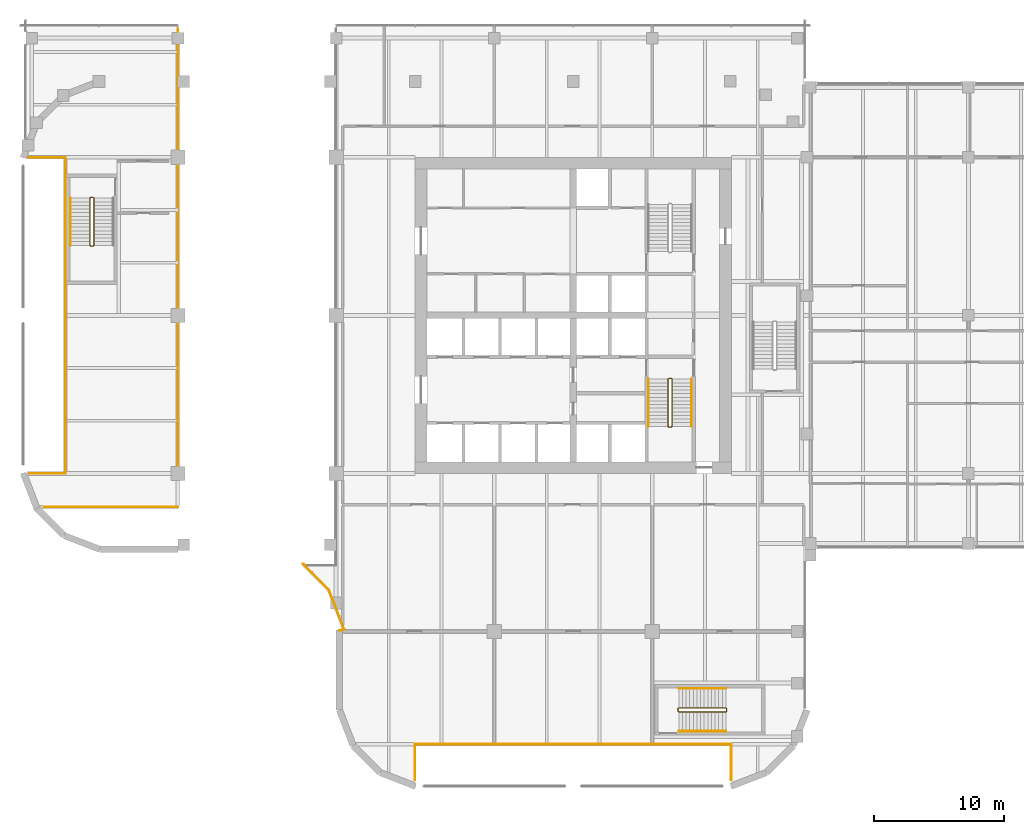
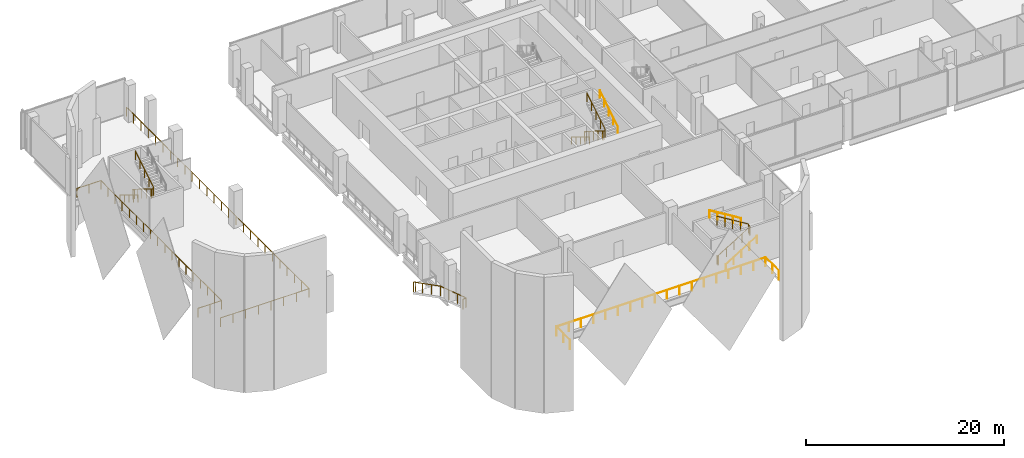
# One storey, part 32 of 33: 12 railings.
"""IFC4 building model written with IfcOpenShell, lengths in metres."""

from ifc_helpers import new_model, si_unit, direction, frame, origin, origin_2d, place, context, subcontext, project, spatial, circle, extrude, material, type_object, element, save


model = new_model("IFC4")

# Units and contexts
model_context = context("Model", 3, precision=1e-05, world=origin(), true_north=direction((0.0, 1.0)))
body_context = subcontext(model_context, "Body", "Model", "MODEL_VIEW")
ifc_project = project(units=[si_unit("LENGTHUNIT", "METRE"), si_unit("AREAUNIT", "SQUARE_METRE"), si_unit("VOLUMEUNIT", "CUBIC_METRE"), si_unit("PLANEANGLEUNIT", "RADIAN"), si_unit("MASSUNIT", "GRAM", prefix="KILO")], contexts=[model_context])

# Site, building, storey
site_placement = place(None, origin())
site = spatial("IfcSite", under=ifc_project, at=site_placement, CompositionType="ELEMENT")
building_placement = place(site_placement, origin())
building = spatial("IfcBuilding", under=site, at=building_placement, Name="Tessera Gate Towers", CompositionType="ELEMENT")
storey_placement = place(building_placement, frame((0.0, 0.0, 7.199951171875)))
storey = spatial("IfcBuildingStorey", under=building, at=storey_placement, Name="L01", CompositionType="ELEMENT", Elevation=7.199951171875)

# Railings
ifc_material_1 = material(Name="Stainless steel balustrade", Category="steel")
railing_type_1 = type_object("IfcRailingType", Name="GR1 guard rail", PredefinedType="GUARDRAIL", material=ifc_material_1)
railing_1_placement = place(storey_placement, frame((22.037841796875, 17.300048828125, 0.0)))
element("IfcRailing", 1, at=railing_1_placement, inside=storey, type_object=railing_type_1, Name="Guard T1 GR-0014", PredefinedType="GUARDRAIL", context=body_context, shape_type="SweptSolid", body=[
    extrude(circle(Radius=0.02490234375, at=origin_2d()), frame((0.0, 0.0, 1.1748046875), z_axis=(-0.857701914537, 0.514147280261, 0.0), x_axis=(-0.514147280261, -0.857701914537, 0.0)), (0.0, 0.0, 1.0), 0.2060546875),
    extrude(circle(Radius=0.02490234375, at=origin_2d()), frame((-0.1767578125, 0.10595703125, 1.1748046875), z_axis=(0.70628534404, -0.707927265187, 0.0), x_axis=(0.707927265187, 0.70628534404, 0.0)), (0.0, 0.0, 1.0), 2.8251953125),
    extrude(circle(Radius=0.02490234375, at=origin_2d()), frame((1.818603515625, -1.89404296875, 1.1748046875), z_axis=(0.360868803245, -0.932616591555, 0.0), x_axis=(0.932616591555, 0.360868803245, 0.0)), (0.0, 0.0, 1.0), 3.27978515625),
    extrude(circle(Radius=0.02490234375, at=origin_2d()), frame((3.002197265625, -4.952880859375, 1.1748046875), z_axis=(-0.97933582238, -0.202240814384, 0.0), x_axis=(0.202240814384, -0.97933582238, 0.0)), (0.0, 0.0, 1.0), 0.3984375),
    extrude(circle(Radius=0.02490234375, at=origin_2d()), origin(), (0.0, 0.0, 1.0), 1.14990234375),
    extrude(circle(Radius=0.02490234375, at=origin_2d()), frame((-0.1767578125, 0.10595703125, 0.0)), (0.0, 0.0, 1.0), 1.14990234375),
    extrude(circle(Radius=0.02490234375, at=origin_2d()), frame((0.48828125, -0.560791015625, 0.0)), (0.0, 0.0, 1.0), 1.14990234375),
    extrude(circle(Radius=0.02490234375, at=origin_2d()), frame((1.153564453125, -1.227294921875, 0.0)), (0.0, 0.0, 1.0), 1.14990234375),
    extrude(circle(Radius=0.02490234375, at=origin_2d()), frame((1.818603515625, -1.89404296875, 0.0)), (0.0, 0.0, 1.0), 1.14990234375),
    extrude(circle(Radius=0.02490234375, at=origin_2d()), frame((2.213134765625, -2.91357421875, 0.0)), (0.0, 0.0, 1.0), 1.14990234375),
    extrude(circle(Radius=0.02490234375, at=origin_2d()), frame((2.607666015625, -3.933349609375, 0.0)), (0.0, 0.0, 1.0), 1.14990234375),
    extrude(circle(Radius=0.02490234375, at=origin_2d()), frame((3.002197265625, -4.952880859375, 0.0)), (0.0, 0.0, 1.0), 1.14990234375),
    extrude(circle(Radius=0.02490234375, at=origin_2d()), frame((2.612060546875, -5.033447265625, 0.0)), (0.0, 0.0, 1.0), 1.14990234375),
])
ifc_material_2 = material(Name="Toughened glass with stainless steel handrail", Category="steel")
railing_type_2 = type_object("IfcRailingType", Name="GUARD 1100 GLASS BALUSTRADE", PredefinedType="GUARDRAIL", material=ifc_material_2)
railing_2_placement = place(storey_placement, frame((0.750244140625, 24.39990234375, 0.0)))
element("IfcRailing", 2, at=railing_2_placement, inside=storey, type_object=railing_type_2, Name="Guard", PredefinedType="GUARDRAIL", context=body_context, shape_type="SweptSolid", body=[
    extrude(circle(Radius=0.02490234375, at=origin_2d()), frame((0.0, 0.0, 1.0751953125), z_axis=(1.0, 0.0, 0.0), x_axis=(0.0, 1.0, 0.0)), (0.0, 0.0, 1.0), 2.749755859375),
    extrude(circle(Radius=0.02490234375, at=origin_2d()), frame((2.749755859375, 0.0, 1.0751953125), z_axis=(0.0, 1.0, 0.0), x_axis=(-1.0, 0.0, 0.0)), (0.0, 0.0, 1.0), 24.400146484375),
    extrude(circle(Radius=0.02490234375, at=origin_2d()), frame((2.749755859375, 24.400146484375, 1.0751953125), z_axis=(-1.0, 0.0, 0.0), x_axis=(0.0, -1.0, 0.0)), (0.0, 0.0, 1.0), 2.800048828125),
    extrude(circle(Radius=0.02490234375, at=origin_2d()), origin(), (0.0, 0.0, 1.0), 1.050048828125),
    extrude(circle(Radius=0.02490234375, at=origin_2d()), frame((1.375, 0.0, 0.0)), (0.0, 0.0, 1.0), 1.050048828125),
    extrude(circle(Radius=0.02490234375, at=origin_2d()), frame((2.749755859375, 0.0, 0.0)), (0.0, 0.0, 1.0), 1.050048828125),
    extrude(circle(Radius=0.02490234375, at=origin_2d()), frame((2.749755859375, 1.435302734375, 0.0)), (0.0, 0.0, 1.0), 1.050048828125),
    extrude(circle(Radius=0.02490234375, at=origin_2d()), frame((2.749755859375, 2.87060546875, 0.0)), (0.0, 0.0, 1.0), 1.050048828125),
    extrude(circle(Radius=0.02490234375, at=origin_2d()), frame((2.749755859375, 4.305908203125, 0.0)), (0.0, 0.0, 1.0), 1.050048828125),
    extrude(circle(Radius=0.02490234375, at=origin_2d()), frame((2.749755859375, 5.7412109375, 0.0)), (0.0, 0.0, 1.0), 1.050048828125),
    extrude(circle(Radius=0.02490234375, at=origin_2d()), frame((2.749755859375, 7.176513671875, 0.0)), (0.0, 0.0, 1.0), 1.050048828125),
    extrude(circle(Radius=0.02490234375, at=origin_2d()), frame((2.749755859375, 8.61181640625, 0.0)), (0.0, 0.0, 1.0), 1.050048828125),
    extrude(circle(Radius=0.02490234375, at=origin_2d()), frame((2.749755859375, 10.047119140625, 0.0)), (0.0, 0.0, 1.0), 1.050048828125),
    extrude(circle(Radius=0.02490234375, at=origin_2d()), frame((2.749755859375, 11.482421875, 0.0)), (0.0, 0.0, 1.0), 1.050048828125),
    extrude(circle(Radius=0.02490234375, at=origin_2d()), frame((2.749755859375, 12.917724609375, 0.0)), (0.0, 0.0, 1.0), 1.050048828125),
    extrude(circle(Radius=0.02490234375, at=origin_2d()), frame((2.749755859375, 14.35302734375, 0.0)), (0.0, 0.0, 1.0), 1.050048828125),
    extrude(circle(Radius=0.02490234375, at=origin_2d()), frame((2.749755859375, 15.788330078125, 0.0)), (0.0, 0.0, 1.0), 1.050048828125),
    extrude(circle(Radius=0.02490234375, at=origin_2d()), frame((2.749755859375, 17.2236328125, 0.0)), (0.0, 0.0, 1.0), 1.050048828125),
    extrude(circle(Radius=0.02490234375, at=origin_2d()), frame((2.749755859375, 18.658935546875, 0.0)), (0.0, 0.0, 1.0), 1.050048828125),
    extrude(circle(Radius=0.02490234375, at=origin_2d()), frame((2.749755859375, 20.09423828125, 0.0)), (0.0, 0.0, 1.0), 1.050048828125),
    extrude(circle(Radius=0.02490234375, at=origin_2d()), frame((2.749755859375, 21.529541015625, 0.0)), (0.0, 0.0, 1.0), 1.050048828125),
    extrude(circle(Radius=0.02490234375, at=origin_2d()), frame((2.749755859375, 22.96484375, 0.0)), (0.0, 0.0, 1.0), 1.050048828125),
    extrude(circle(Radius=0.02490234375, at=origin_2d()), frame((2.749755859375, 24.400146484375, 0.0)), (0.0, 0.0, 1.0), 1.050048828125),
    extrude(circle(Radius=0.02490234375, at=origin_2d()), frame((1.349609375, 24.400146484375, 0.0)), (0.0, 0.0, 1.0), 1.050048828125),
    extrude(circle(Radius=0.02490234375, at=origin_2d()), frame((-0.05029296875, 24.400146484375, 0.0)), (0.0, 0.0, 1.0), 1.050048828125),
])
railing_3_placement = place(storey_placement, frame((12.199951171875, 58.699951171875, 0.0)))
element("IfcRailing", 3, at=railing_3_placement, inside=storey, type_object=railing_type_2, Name="Guard", PredefinedType="GUARDRAIL", context=body_context, shape_type="SweptSolid", body=[
    extrude(circle(Radius=0.02490234375, at=origin_2d()), frame((0.0, 0.0, 1.0751953125), z_axis=(0.0, -1.0, 0.0), x_axis=(1.0, 0.0, 0.0)), (0.0, 0.0, 1.0), 36.89990234375),
    extrude(circle(Radius=0.02490234375, at=origin_2d()), frame((0.0, -36.89990234375, 1.0751953125), z_axis=(-1.0, 0.0, 0.0), x_axis=(0.0, -1.0, 0.0)), (0.0, 0.0, 1.0), 10.35791015625),
    extrude(circle(Radius=0.02490234375, at=origin_2d()), origin(), (0.0, 0.0, 1.0), 1.050048828125),
    extrude(circle(Radius=0.02490234375, at=origin_2d()), frame((0.0, -1.47607421875, 0.0)), (0.0, 0.0, 1.0), 1.050048828125),
    extrude(circle(Radius=0.02490234375, at=origin_2d()), frame((0.0, -2.951904296875, 0.0)), (0.0, 0.0, 1.0), 1.050048828125),
    extrude(circle(Radius=0.02490234375, at=origin_2d()), frame((0.0, -4.427978515625, 0.0)), (0.0, 0.0, 1.0), 1.050048828125),
    extrude(circle(Radius=0.02490234375, at=origin_2d()), frame((0.0, -5.904052734375, 0.0)), (0.0, 0.0, 1.0), 1.050048828125),
    extrude(circle(Radius=0.02490234375, at=origin_2d()), frame((0.0, -7.3798828125, 0.0)), (0.0, 0.0, 1.0), 1.050048828125),
    extrude(circle(Radius=0.02490234375, at=origin_2d()), frame((0.0, -8.85595703125, 0.0)), (0.0, 0.0, 1.0), 1.050048828125),
    extrude(circle(Radius=0.02490234375, at=origin_2d()), frame((0.0, -10.33203125, 0.0)), (0.0, 0.0, 1.0), 1.050048828125),
    extrude(circle(Radius=0.02490234375, at=origin_2d()), frame((0.0, -11.807861328125, 0.0)), (0.0, 0.0, 1.0), 1.050048828125),
    extrude(circle(Radius=0.02490234375, at=origin_2d()), frame((0.0, -13.283935546875, 0.0)), (0.0, 0.0, 1.0), 1.050048828125),
    extrude(circle(Radius=0.02490234375, at=origin_2d()), frame((0.0, -14.760009765625, 0.0)), (0.0, 0.0, 1.0), 1.050048828125),
    extrude(circle(Radius=0.02490234375, at=origin_2d()), frame((0.0, -16.23583984375, 0.0)), (0.0, 0.0, 1.0), 1.050048828125),
    extrude(circle(Radius=0.02490234375, at=origin_2d()), frame((0.0, -17.7119140625, 0.0)), (0.0, 0.0, 1.0), 1.050048828125),
    extrude(circle(Radius=0.02490234375, at=origin_2d()), frame((0.0, -19.18798828125, 0.0)), (0.0, 0.0, 1.0), 1.050048828125),
    extrude(circle(Radius=0.02490234375, at=origin_2d()), frame((0.0, -20.6640625, 0.0)), (0.0, 0.0, 1.0), 1.050048828125),
    extrude(circle(Radius=0.02490234375, at=origin_2d()), frame((0.0, -22.139892578125, 0.0)), (0.0, 0.0, 1.0), 1.050048828125),
    extrude(circle(Radius=0.02490234375, at=origin_2d()), frame((0.0, -23.615966796875, 0.0)), (0.0, 0.0, 1.0), 1.050048828125),
    extrude(circle(Radius=0.02490234375, at=origin_2d()), frame((0.0, -25.092041015625, 0.0)), (0.0, 0.0, 1.0), 1.050048828125),
    extrude(circle(Radius=0.02490234375, at=origin_2d()), frame((0.0, -26.56787109375, 0.0)), (0.0, 0.0, 1.0), 1.050048828125),
    extrude(circle(Radius=0.02490234375, at=origin_2d()), frame((0.0, -28.0439453125, 0.0)), (0.0, 0.0, 1.0), 1.050048828125),
    extrude(circle(Radius=0.02490234375, at=origin_2d()), frame((0.0, -29.52001953125, 0.0)), (0.0, 0.0, 1.0), 1.050048828125),
    extrude(circle(Radius=0.02490234375, at=origin_2d()), frame((0.0, -30.995849609375, 0.0)), (0.0, 0.0, 1.0), 1.050048828125),
    extrude(circle(Radius=0.02490234375, at=origin_2d()), frame((0.0, -32.471923828125, 0.0)), (0.0, 0.0, 1.0), 1.050048828125),
    extrude(circle(Radius=0.02490234375, at=origin_2d()), frame((0.0, -33.947998046875, 0.0)), (0.0, 0.0, 1.0), 1.050048828125),
    extrude(circle(Radius=0.02490234375, at=origin_2d()), frame((0.0, -35.423828125, 0.0)), (0.0, 0.0, 1.0), 1.050048828125),
    extrude(circle(Radius=0.02490234375, at=origin_2d()), frame((0.0, -36.89990234375, 0.0)), (0.0, 0.0, 1.0), 1.050048828125),
    extrude(circle(Radius=0.02490234375, at=origin_2d()), frame((-1.479736328125, -36.89990234375, 0.0)), (0.0, 0.0, 1.0), 1.050048828125),
    extrude(circle(Radius=0.02490234375, at=origin_2d()), frame((-2.95947265625, -36.89990234375, 0.0)), (0.0, 0.0, 1.0), 1.050048828125),
    extrude(circle(Radius=0.02490234375, at=origin_2d()), frame((-4.439208984375, -36.89990234375, 0.0)), (0.0, 0.0, 1.0), 1.050048828125),
    extrude(circle(Radius=0.02490234375, at=origin_2d()), frame((-5.918701171875, -36.89990234375, 0.0)), (0.0, 0.0, 1.0), 1.050048828125),
    extrude(circle(Radius=0.02490234375, at=origin_2d()), frame((-7.3984375, -36.89990234375, 0.0)), (0.0, 0.0, 1.0), 1.050048828125),
    extrude(circle(Radius=0.02490234375, at=origin_2d()), frame((-8.878173828125, -36.89990234375, 0.0)), (0.0, 0.0, 1.0), 1.050048828125),
    extrude(circle(Radius=0.02490234375, at=origin_2d()), frame((-10.35791015625, -36.89990234375, 0.0)), (0.0, 0.0, 1.0), 1.050048828125),
])
railing_4_placement = place(storey_placement, frame((54.89990234375, 0.750244140625, 0.0)))
element("IfcRailing", 4, at=railing_4_placement, inside=storey, type_object=railing_type_2, Name="Guard", PredefinedType="GUARDRAIL", context=body_context, shape_type="SweptSolid", body=[
    extrude(circle(Radius=0.02490234375, at=origin_2d()), frame((0.0, 0.0, 1.0751953125), z_axis=(0.0, 1.0, 0.0), x_axis=(-1.0, 0.0, 0.0)), (0.0, 0.0, 1.0), 2.749755859375),
    extrude(circle(Radius=0.02490234375, at=origin_2d()), frame((0.0, 2.749755859375, 1.0751953125), z_axis=(-1.0, 0.0, 0.0), x_axis=(0.0, -1.0, 0.0)), (0.0, 0.0, 1.0), 24.39990234375),
    extrude(circle(Radius=0.02490234375, at=origin_2d()), frame((-24.39990234375, 2.749755859375, 1.0751953125), z_axis=(0.0, -1.0, 0.0), x_axis=(1.0, 0.0, 0.0)), (0.0, 0.0, 1.0), 2.749755859375),
    extrude(circle(Radius=0.02490234375, at=origin_2d()), origin(), (0.0, 0.0, 1.0), 1.050048828125),
    extrude(circle(Radius=0.02490234375, at=origin_2d()), frame((0.0, 1.375, 0.0)), (0.0, 0.0, 1.0), 1.050048828125),
    extrude(circle(Radius=0.02490234375, at=origin_2d()), frame((0.0, 2.749755859375, 0.0)), (0.0, 0.0, 1.0), 1.050048828125),
    extrude(circle(Radius=0.02490234375, at=origin_2d()), frame((-1.435302734375, 2.749755859375, 0.0)), (0.0, 0.0, 1.0), 1.050048828125),
    extrude(circle(Radius=0.02490234375, at=origin_2d()), frame((-2.87060546875, 2.749755859375, 0.0)), (0.0, 0.0, 1.0), 1.050048828125),
    extrude(circle(Radius=0.02490234375, at=origin_2d()), frame((-4.305908203125, 2.749755859375, 0.0)), (0.0, 0.0, 1.0), 1.050048828125),
    extrude(circle(Radius=0.02490234375, at=origin_2d()), frame((-5.7412109375, 2.749755859375, 0.0)), (0.0, 0.0, 1.0), 1.050048828125),
    extrude(circle(Radius=0.02490234375, at=origin_2d()), frame((-7.176513671875, 2.749755859375, 0.0)), (0.0, 0.0, 1.0), 1.050048828125),
    extrude(circle(Radius=0.02490234375, at=origin_2d()), frame((-8.61181640625, 2.749755859375, 0.0)), (0.0, 0.0, 1.0), 1.050048828125),
    extrude(circle(Radius=0.02490234375, at=origin_2d()), frame((-10.047119140625, 2.749755859375, 0.0)), (0.0, 0.0, 1.0), 1.050048828125),
    extrude(circle(Radius=0.02490234375, at=origin_2d()), frame((-11.482421875, 2.749755859375, 0.0)), (0.0, 0.0, 1.0), 1.050048828125),
    extrude(circle(Radius=0.02490234375, at=origin_2d()), frame((-12.91748046875, 2.749755859375, 0.0)), (0.0, 0.0, 1.0), 1.050048828125),
    extrude(circle(Radius=0.02490234375, at=origin_2d()), frame((-14.352783203125, 2.749755859375, 0.0)), (0.0, 0.0, 1.0), 1.050048828125),
    extrude(circle(Radius=0.02490234375, at=origin_2d()), frame((-15.7880859375, 2.749755859375, 0.0)), (0.0, 0.0, 1.0), 1.050048828125),
    extrude(circle(Radius=0.02490234375, at=origin_2d()), frame((-17.223388671875, 2.749755859375, 0.0)), (0.0, 0.0, 1.0), 1.050048828125),
    extrude(circle(Radius=0.02490234375, at=origin_2d()), frame((-18.65869140625, 2.749755859375, 0.0)), (0.0, 0.0, 1.0), 1.050048828125),
    extrude(circle(Radius=0.02490234375, at=origin_2d()), frame((-20.093994140625, 2.749755859375, 0.0)), (0.0, 0.0, 1.0), 1.050048828125),
    extrude(circle(Radius=0.02490234375, at=origin_2d()), frame((-21.529296875, 2.749755859375, 0.0)), (0.0, 0.0, 1.0), 1.050048828125),
    extrude(circle(Radius=0.02490234375, at=origin_2d()), frame((-22.964599609375, 2.749755859375, 0.0)), (0.0, 0.0, 1.0), 1.050048828125),
    extrude(circle(Radius=0.02490234375, at=origin_2d()), frame((-24.39990234375, 2.749755859375, 0.0)), (0.0, 0.0, 1.0), 1.050048828125),
    extrude(circle(Radius=0.02490234375, at=origin_2d()), frame((-24.39990234375, 1.375, 0.0)), (0.0, 0.0, 1.0), 1.050048828125),
    extrude(circle(Radius=0.02490234375, at=origin_2d()), frame((-24.39990234375, 0.0, 0.0)), (0.0, 0.0, 1.0), 1.050048828125),
])
ifc_material_3 = material(Name="Steel 350W", Category="steel")
railing_type_3 = type_object("IfcRailingType", Name="STAIR GUARD 1100", PredefinedType="GUARDRAIL", material=ifc_material_3)
railing_5_placement = place(storey_placement, frame((50.27490234375, 31.72509765625, 0.0)))
element("IfcRailing", 5, at=railing_5_placement, inside=storey, type_object=railing_type_3, Name="L01 ST1 stair guard 1", PredefinedType="GUARDRAIL", context=body_context, shape_type="SweptSolid", body=[
    extrude(circle(Radius=0.02392578125, at=origin_2d()), frame((0.0, 0.0, 1.076171875), z_axis=(-1.0, 0.0, 0.0), x_axis=(0.0, -1.0, 0.0)), (0.0, 0.0, 1.0), 0.199951171875),
    extrude(circle(Radius=0.02392578125, at=origin_2d()), frame((-0.199951171875, 0.0, 1.076171875), z_axis=(-0.269911200495, -0.269911200495, 0.924281281696), x_axis=(0.707106781187, -0.707106781187, 0.0)), (0.0, 0.0, 1.0), 0.185546875),
    extrude(circle(Radius=0.02392578125, at=origin_2d()), frame((-0.25, -0.050048828125, 1.24755859375), z_axis=(0.0, -0.852840387347, 0.522171689878), x_axis=(1.0, 0.0, 0.0)), (0.0, 0.0, 1.0), 4.268310546875),
    extrude(circle(Radius=0.02392578125, at=origin_2d()), frame((-0.25, -3.690185546875, 3.47607421875), z_axis=(0.708833529934, -0.705375805398, 0.0), x_axis=(0.705375805398, 0.708833529934, 0.0)), (0.0, 0.0, 1.0), 0.070556640625),
    extrude(circle(Radius=0.02392578125, at=origin_2d()), frame((-0.199951171875, -3.739990234375, 3.47607421875), z_axis=(1.0, 0.0, 0.0), x_axis=(0.0, 1.0, 0.0)), (0.0, 0.0, 1.0), 0.199951171875),
    extrude(circle(Radius=0.02392578125, at=origin_2d()), frame((0.0, -3.739990234375, 3.47607421875), z_axis=(0.270006937388, 0.268689830376, 0.924609122178), x_axis=(-0.705375805398, 0.708833529934, 0.0)), (0.0, 0.0, 1.0), 0.185302734375),
    extrude(circle(Radius=0.02392578125, at=origin_2d()), frame((0.050048828125, -3.690185546875, 3.6474609375), z_axis=(0.0, 0.852865859571, 0.52213008492), x_axis=(-1.0, 0.0, 0.0)), (0.0, 0.0, 1.0), 4.26806640625),
    extrude(circle(Radius=0.02099609375, at=origin_2d()), origin(), (0.0, 0.0, 1.0), 1.052001953125),
    extrude(circle(Radius=0.02099609375, at=origin_2d()), frame((-0.199951171875, 0.0, 0.0)), (0.0, 0.0, 1.0), 1.052001953125),
    extrude(circle(Radius=0.02099609375, at=origin_2d()), frame((-0.25, -0.050048828125, 0.17138671875)), (0.0, 0.0, 1.0), 1.052001953125),
    extrude(circle(Radius=0.02099609375, at=origin_2d()), frame((-0.25, -0.9599609375, 0.728515625)), (0.0, 0.0, 1.0), 1.052001953125),
    extrude(circle(Radius=0.02099609375, at=origin_2d()), frame((-0.25, -1.8701171875, 1.28564453125)), (0.0, 0.0, 1.0), 1.052001953125),
    extrude(circle(Radius=0.02099609375, at=origin_2d()), frame((-0.25, -2.7802734375, 1.843017578125)), (0.0, 0.0, 1.0), 1.052001953125),
    extrude(circle(Radius=0.02099609375, at=origin_2d()), frame((-0.25, -3.690185546875, 2.400146484375)), (0.0, 0.0, 1.0), 1.052001953125),
    extrude(circle(Radius=0.02099609375, at=origin_2d()), frame((-0.199951171875, -3.739990234375, 2.400146484375)), (0.0, 0.0, 1.0), 1.052001953125),
    extrude(circle(Radius=0.02099609375, at=origin_2d()), frame((0.0, -3.739990234375, 2.400146484375)), (0.0, 0.0, 1.0), 1.052001953125),
    extrude(circle(Radius=0.02099609375, at=origin_2d()), frame((0.050048828125, -3.690185546875, 2.571533203125)), (0.0, 0.0, 1.0), 1.052001953125),
    extrude(circle(Radius=0.02099609375, at=origin_2d()), frame((0.050048828125, -2.7802734375, 3.128662109375)), (0.0, 0.0, 1.0), 1.052001953125),
    extrude(circle(Radius=0.02099609375, at=origin_2d()), frame((0.050048828125, -1.8701171875, 3.685791015625)), (0.0, 0.0, 1.0), 1.052001953125),
    extrude(circle(Radius=0.02099609375, at=origin_2d()), frame((0.050048828125, -0.9599609375, 4.242919921875)), (0.0, 0.0, 1.0), 1.052001953125),
    extrude(circle(Radius=0.02099609375, at=origin_2d()), frame((0.050048828125, -0.050048828125, 4.800048828125)), (0.0, 0.0, 1.0), 1.052001953125),
])
railing_6_placement = place(storey_placement, frame((5.64990234375, 45.699951171875, 0.0)))
element("IfcRailing", 6, at=railing_6_placement, inside=storey, type_object=railing_type_3, Name="L01 ST3 stair guard 1", PredefinedType="GUARDRAIL", context=body_context, shape_type="SweptSolid", body=[
    extrude(circle(Radius=0.02392578125, at=origin_2d()), frame((0.0, 0.0, 1.076171875), z_axis=(-1.0, 0.0, 0.0), x_axis=(0.0, -1.0, 0.0)), (0.0, 0.0, 1.0), 0.199951171875),
    extrude(circle(Radius=0.02392578125, at=origin_2d()), frame((-0.199951171875, 0.0, 1.076171875), z_axis=(-0.269911200495, -0.269911200495, 0.924281281696), x_axis=(0.707106781187, -0.707106781187, 0.0)), (0.0, 0.0, 1.0), 0.185546875),
    extrude(circle(Radius=0.02392578125, at=origin_2d()), frame((-0.25, -0.050048828125, 1.24755859375), z_axis=(0.0, -0.852824790078, 0.522197163366), x_axis=(1.0, 0.0, 0.0)), (0.0, 0.0, 1.0), 4.26806640625),
    extrude(circle(Radius=0.02392578125, at=origin_2d()), frame((-0.25, -3.68994140625, 3.47607421875), z_axis=(0.707106781187, -0.707106781187, 0.0), x_axis=(0.707106781187, 0.707106781187, 0.0)), (0.0, 0.0, 1.0), 0.07080078125),
    extrude(circle(Radius=0.02392578125, at=origin_2d()), frame((-0.199951171875, -3.739990234375, 3.47607421875), z_axis=(1.0, 0.0, 0.0), x_axis=(0.0, 1.0, 0.0)), (0.0, 0.0, 1.0), 0.199951171875),
    extrude(circle(Radius=0.02392578125, at=origin_2d()), frame((0.0, -3.739990234375, 3.47607421875), z_axis=(0.269911200495, 0.269911200495, 0.924281281696), x_axis=(-0.707106781187, 0.707106781187, 0.0)), (0.0, 0.0, 1.0), 0.185546875),
    extrude(circle(Radius=0.02392578125, at=origin_2d()), frame((0.050048828125, -3.68994140625, 3.6474609375), z_axis=(0.0, 0.852850264322, 0.5221555579), x_axis=(-1.0, 0.0, 0.0)), (0.0, 0.0, 1.0), 4.267822265625),
    extrude(circle(Radius=0.02099609375, at=origin_2d()), origin(), (0.0, 0.0, 1.0), 1.052001953125),
    extrude(circle(Radius=0.02099609375, at=origin_2d()), frame((-0.199951171875, 0.0, 0.0)), (0.0, 0.0, 1.0), 1.052001953125),
    extrude(circle(Radius=0.02099609375, at=origin_2d()), frame((-0.25, -0.050048828125, 0.17138671875)), (0.0, 0.0, 1.0), 1.052001953125),
    extrude(circle(Radius=0.02099609375, at=origin_2d()), frame((-0.25, -0.9599609375, 0.728515625)), (0.0, 0.0, 1.0), 1.052001953125),
    extrude(circle(Radius=0.02099609375, at=origin_2d()), frame((-0.25, -1.8701171875, 1.28564453125)), (0.0, 0.0, 1.0), 1.052001953125),
    extrude(circle(Radius=0.02099609375, at=origin_2d()), frame((-0.25, -2.780029296875, 1.843017578125)), (0.0, 0.0, 1.0), 1.052001953125),
    extrude(circle(Radius=0.02099609375, at=origin_2d()), frame((-0.25, -3.68994140625, 2.400146484375)), (0.0, 0.0, 1.0), 1.052001953125),
    extrude(circle(Radius=0.02099609375, at=origin_2d()), frame((-0.199951171875, -3.739990234375, 2.400146484375)), (0.0, 0.0, 1.0), 1.052001953125),
    extrude(circle(Radius=0.02099609375, at=origin_2d()), frame((0.0, -3.739990234375, 2.400146484375)), (0.0, 0.0, 1.0), 1.052001953125),
    extrude(circle(Radius=0.02099609375, at=origin_2d()), frame((0.050048828125, -3.68994140625, 2.571533203125)), (0.0, 0.0, 1.0), 1.052001953125),
    extrude(circle(Radius=0.02099609375, at=origin_2d()), frame((0.050048828125, -2.780029296875, 3.128662109375)), (0.0, 0.0, 1.0), 1.052001953125),
    extrude(circle(Radius=0.02099609375, at=origin_2d()), frame((0.050048828125, -1.8701171875, 3.685791015625)), (0.0, 0.0, 1.0), 1.052001953125),
    extrude(circle(Radius=0.02099609375, at=origin_2d()), frame((0.050048828125, -0.9599609375, 4.242919921875)), (0.0, 0.0, 1.0), 1.052001953125),
    extrude(circle(Radius=0.02099609375, at=origin_2d()), frame((0.050048828125, -0.050048828125, 4.800048828125)), (0.0, 0.0, 1.0), 1.052001953125),
])
railing_7_placement = place(storey_placement, frame((50.800048828125, 6.25, 0.0)))
element("IfcRailing", 7, at=railing_7_placement, inside=storey, type_object=railing_type_3, Name="L01 ST4 stair guard 1", PredefinedType="GUARDRAIL", context=body_context, shape_type="SweptSolid", body=[
    extrude(circle(Radius=0.02392578125, at=origin_2d()), frame((0.0, 0.0, 1.076171875), z_axis=(0.0, -1.0, 0.0), x_axis=(1.0, 0.0, 0.0)), (0.0, 0.0, 1.0), 0.199951171875),
    extrude(circle(Radius=0.02392578125, at=origin_2d()), frame((0.0, -0.199951171875, 1.076171875), z_axis=(0.269911200495, -0.269911200495, 0.924281281696), x_axis=(0.707106781187, 0.707106781187, 0.0)), (0.0, 0.0, 1.0), 0.185546875),
    extrude(circle(Radius=0.02392578125, at=origin_2d()), frame((0.050048828125, -0.25, 1.24755859375), z_axis=(0.852824790078, 0.0, 0.522197163366), x_axis=(0.0, 1.0, 0.0)), (0.0, 0.0, 1.0), 4.26806640625),
    extrude(circle(Radius=0.02392578125, at=origin_2d()), frame((3.68994140625, -0.25, 3.47607421875), z_axis=(0.707106781187, 0.707106781187, 0.0), x_axis=(-0.707106781187, 0.707106781187, 0.0)), (0.0, 0.0, 1.0), 0.07080078125),
    extrude(circle(Radius=0.02392578125, at=origin_2d()), frame((3.739990234375, -0.199951171875, 3.47607421875), z_axis=(0.0, 1.0, 0.0), x_axis=(-1.0, 0.0, 0.0)), (0.0, 0.0, 1.0), 0.199951171875),
    extrude(circle(Radius=0.02392578125, at=origin_2d()), frame((3.739990234375, 0.0, 3.47607421875), z_axis=(-0.269911200495, 0.269911200495, 0.924281281696), x_axis=(-0.707106781187, -0.707106781187, 0.0)), (0.0, 0.0, 1.0), 0.185546875),
    extrude(circle(Radius=0.02392578125, at=origin_2d()), frame((3.68994140625, 0.050048828125, 3.6474609375), z_axis=(-0.852850264322, 0.0, 0.5221555579), x_axis=(0.0, -1.0, 0.0)), (0.0, 0.0, 1.0), 4.267822265625),
    extrude(circle(Radius=0.02099609375, at=origin_2d()), origin(), (0.0, 0.0, 1.0), 1.052001953125),
    extrude(circle(Radius=0.02099609375, at=origin_2d()), frame((0.0, -0.199951171875, 0.0)), (0.0, 0.0, 1.0), 1.052001953125),
    extrude(circle(Radius=0.02099609375, at=origin_2d()), frame((0.050048828125, -0.25, 0.17138671875)), (0.0, 0.0, 1.0), 1.052001953125),
    extrude(circle(Radius=0.02099609375, at=origin_2d()), frame((0.9599609375, -0.25, 0.728515625)), (0.0, 0.0, 1.0), 1.052001953125),
    extrude(circle(Radius=0.02099609375, at=origin_2d()), frame((1.8701171875, -0.25, 1.28564453125)), (0.0, 0.0, 1.0), 1.052001953125),
    extrude(circle(Radius=0.02099609375, at=origin_2d()), frame((2.780029296875, -0.25, 1.843017578125)), (0.0, 0.0, 1.0), 1.052001953125),
    extrude(circle(Radius=0.02099609375, at=origin_2d()), frame((3.68994140625, -0.25, 2.400146484375)), (0.0, 0.0, 1.0), 1.052001953125),
    extrude(circle(Radius=0.02099609375, at=origin_2d()), frame((3.739990234375, -0.199951171875, 2.400146484375)), (0.0, 0.0, 1.0), 1.052001953125),
    extrude(circle(Radius=0.02099609375, at=origin_2d()), frame((3.739990234375, 0.0, 2.400146484375)), (0.0, 0.0, 1.0), 1.052001953125),
    extrude(circle(Radius=0.02099609375, at=origin_2d()), frame((3.68994140625, 0.050048828125, 2.571533203125)), (0.0, 0.0, 1.0), 1.052001953125),
    extrude(circle(Radius=0.02099609375, at=origin_2d()), frame((2.780029296875, 0.050048828125, 3.128662109375)), (0.0, 0.0, 1.0), 1.052001953125),
    extrude(circle(Radius=0.02099609375, at=origin_2d()), frame((1.8701171875, 0.050048828125, 3.685791015625)), (0.0, 0.0, 1.0), 1.052001953125),
    extrude(circle(Radius=0.02099609375, at=origin_2d()), frame((0.9599609375, 0.050048828125, 4.242919921875)), (0.0, 0.0, 1.0), 1.052001953125),
    extrude(circle(Radius=0.02099609375, at=origin_2d()), frame((0.050048828125, 0.050048828125, 4.800048828125)), (0.0, 0.0, 1.0), 1.052001953125),
])
ifc_material_4 = material(Name="Steel 350W", Category="steel")
railing_type_4 = type_object("IfcRailingType", Name="STAIR HANDRAIL 900", PredefinedType="HANDRAIL", material=ifc_material_4)
railing_8_placement = place(storey_placement, frame((48.52490234375, 31.675048828125, 0.17138671875)))
element("IfcRailing", 8, at=railing_8_placement, inside=storey, type_object=railing_type_4, Name="L01 ST1 stair handrail 1", PredefinedType="HANDRAIL", context=body_context, shape_type="SweptSolid", body=[
    extrude(circle(Radius=0.02392578125, at=origin_2d()), frame((0.0, 0.0, 0.8759765625), z_axis=(0.0, -0.852840387347, 0.522171689878), x_axis=(1.0, 0.0, 0.0)), (0.0, 0.0, 1.0), 4.268310546875),
    extrude(circle(Radius=0.02099609375, at=origin_2d()), origin(), (0.0, 0.0, 1.0), 0.851806640625),
    extrude(circle(Radius=0.02099609375, at=origin_2d()), frame((0.0, -0.91015625, 0.55712890625)), (0.0, 0.0, 1.0), 0.851806640625),
    extrude(circle(Radius=0.02099609375, at=origin_2d()), frame((0.0, -1.820068359375, 1.1142578125)), (0.0, 0.0, 1.0), 0.851806640625),
    extrude(circle(Radius=0.02099609375, at=origin_2d()), frame((0.0, -2.72998046875, 1.671630859375)), (0.0, 0.0, 1.0), 0.851806640625),
    extrude(circle(Radius=0.02099609375, at=origin_2d()), frame((0.0, -3.64013671875, 2.228759765625)), (0.0, 0.0, 1.0), 0.851806640625),
])
railing_9_placement = place(storey_placement, frame((51.824951171875, 28.034912109375, 2.571533203125)))
element("IfcRailing", 9, at=railing_9_placement, inside=storey, type_object=railing_type_4, Name="L01 ST1 stair handrail 2", PredefinedType="HANDRAIL", context=body_context, shape_type="SweptSolid", body=[
    extrude(circle(Radius=0.02392578125, at=origin_2d()), frame((0.0, 0.0, 0.8759765625), z_axis=(0.0, 0.852865859571, 0.52213008492), x_axis=(-1.0, 0.0, 0.0)), (0.0, 0.0, 1.0), 4.26806640625),
    extrude(circle(Radius=0.02099609375, at=origin_2d()), origin(), (0.0, 0.0, 1.0), 0.851806640625),
    extrude(circle(Radius=0.02099609375, at=origin_2d()), frame((0.0, 0.91015625, 0.55712890625)), (0.0, 0.0, 1.0), 0.851806640625),
    extrude(circle(Radius=0.02099609375, at=origin_2d()), frame((0.0, 1.820068359375, 1.1142578125)), (0.0, 0.0, 1.0), 0.851806640625),
    extrude(circle(Radius=0.02099609375, at=origin_2d()), frame((0.0, 2.72998046875, 1.67138671875)), (0.0, 0.0, 1.0), 0.851806640625),
    extrude(circle(Radius=0.02099609375, at=origin_2d()), frame((0.0, 3.64013671875, 2.228515625)), (0.0, 0.0, 1.0), 0.851806640625),
])
railing_10_placement = place(storey_placement, frame((3.89990234375, 45.64990234375, 0.17138671875)))
element("IfcRailing", 10, at=railing_10_placement, inside=storey, type_object=railing_type_4, Name="L01 ST3 stair handrail 1", PredefinedType="HANDRAIL", context=body_context, shape_type="SweptSolid", body=[
    extrude(circle(Radius=0.02392578125, at=origin_2d()), frame((0.0, 0.0, 0.8759765625), z_axis=(0.0, -0.852824790078, 0.522197163366), x_axis=(1.0, 0.0, 0.0)), (0.0, 0.0, 1.0), 4.26806640625),
    extrude(circle(Radius=0.02099609375, at=origin_2d()), origin(), (0.0, 0.0, 1.0), 0.851806640625),
    extrude(circle(Radius=0.02099609375, at=origin_2d()), frame((0.0, -0.909912109375, 0.55712890625)), (0.0, 0.0, 1.0), 0.851806640625),
    extrude(circle(Radius=0.02099609375, at=origin_2d()), frame((0.0, -1.81982421875, 1.1142578125)), (0.0, 0.0, 1.0), 0.851806640625),
    extrude(circle(Radius=0.02099609375, at=origin_2d()), frame((0.0, -2.72998046875, 1.671630859375)), (0.0, 0.0, 1.0), 0.851806640625),
    extrude(circle(Radius=0.02099609375, at=origin_2d()), frame((0.0, -3.639892578125, 2.228759765625)), (0.0, 0.0, 1.0), 0.851806640625),
])
railing_11_placement = place(storey_placement, frame((50.85009765625, 4.5, 0.17138671875)))
element("IfcRailing", 11, at=railing_11_placement, inside=storey, type_object=railing_type_4, Name="L01 ST4 stair handrail 1", PredefinedType="HANDRAIL", context=body_context, shape_type="SweptSolid", body=[
    extrude(circle(Radius=0.02392578125, at=origin_2d()), frame((0.0, 0.0, 0.8759765625), z_axis=(0.852824790078, 0.0, 0.522197163366), x_axis=(0.0, 1.0, 0.0)), (0.0, 0.0, 1.0), 4.26806640625),
    extrude(circle(Radius=0.02099609375, at=origin_2d()), origin(), (0.0, 0.0, 1.0), 0.851806640625),
    extrude(circle(Radius=0.02099609375, at=origin_2d()), frame((0.909912109375, 0.0, 0.55712890625)), (0.0, 0.0, 1.0), 0.851806640625),
    extrude(circle(Radius=0.02099609375, at=origin_2d()), frame((1.81982421875, 0.0, 1.1142578125)), (0.0, 0.0, 1.0), 0.851806640625),
    extrude(circle(Radius=0.02099609375, at=origin_2d()), frame((2.72998046875, 0.0, 1.671630859375)), (0.0, 0.0, 1.0), 0.851806640625),
    extrude(circle(Radius=0.02099609375, at=origin_2d()), frame((3.639892578125, 0.0, 2.228759765625)), (0.0, 0.0, 1.0), 0.851806640625),
])
railing_12_placement = place(storey_placement, frame((54.489990234375, 7.800048828125, 2.571533203125)))
element("IfcRailing", 12, at=railing_12_placement, inside=storey, type_object=railing_type_4, Name="L01 ST4 stair handrail 2", PredefinedType="HANDRAIL", context=body_context, shape_type="SweptSolid", body=[
    extrude(circle(Radius=0.02392578125, at=origin_2d()), frame((0.0, 0.0, 0.8759765625), z_axis=(-0.852850264322, 0.0, 0.5221555579), x_axis=(0.0, -1.0, 0.0)), (0.0, 0.0, 1.0), 4.267822265625),
    extrude(circle(Radius=0.02099609375, at=origin_2d()), origin(), (0.0, 0.0, 1.0), 0.851806640625),
    extrude(circle(Radius=0.02099609375, at=origin_2d()), frame((-0.909912109375, 0.0, 0.55712890625)), (0.0, 0.0, 1.0), 0.851806640625),
    extrude(circle(Radius=0.02099609375, at=origin_2d()), frame((-1.81982421875, 0.0, 1.1142578125)), (0.0, 0.0, 1.0), 0.851806640625),
    extrude(circle(Radius=0.02099609375, at=origin_2d()), frame((-2.72998046875, 0.0, 1.67138671875)), (0.0, 0.0, 1.0), 0.851806640625),
    extrude(circle(Radius=0.02099609375, at=origin_2d()), frame((-3.639892578125, 0.0, 2.228515625)), (0.0, 0.0, 1.0), 0.851806640625),
])

save(model, "model.ifc")
